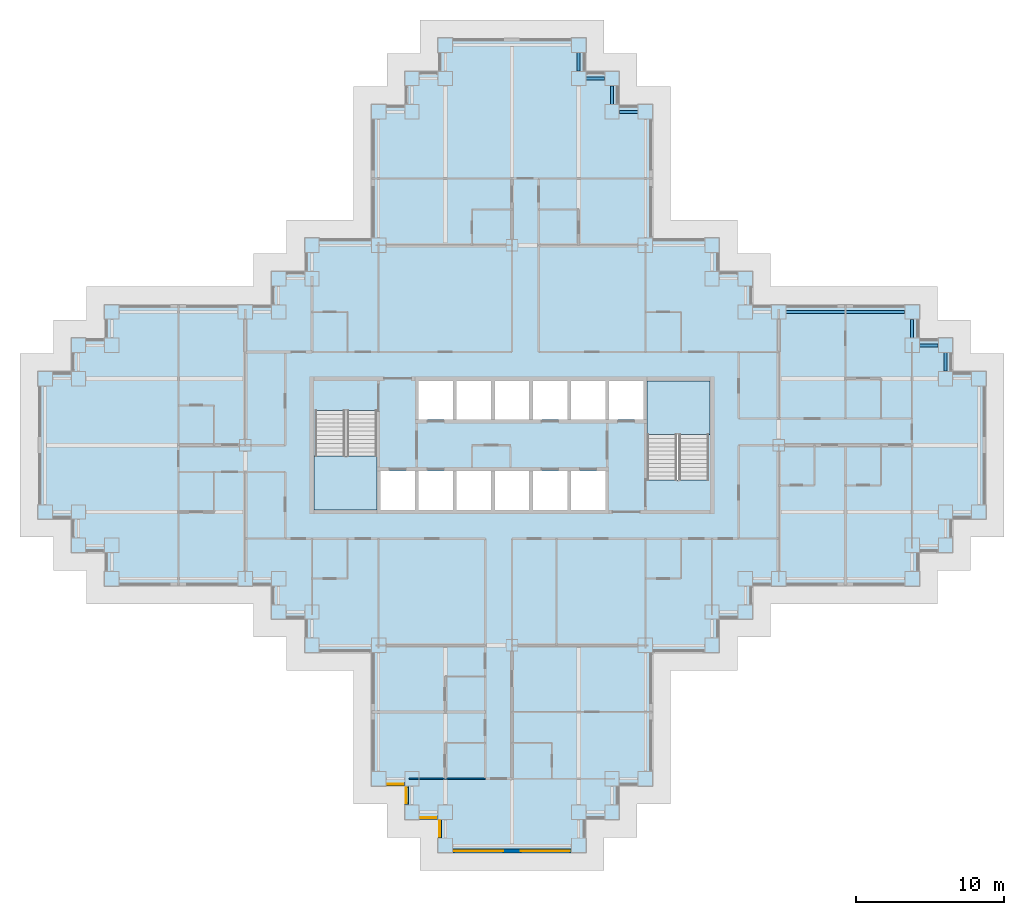
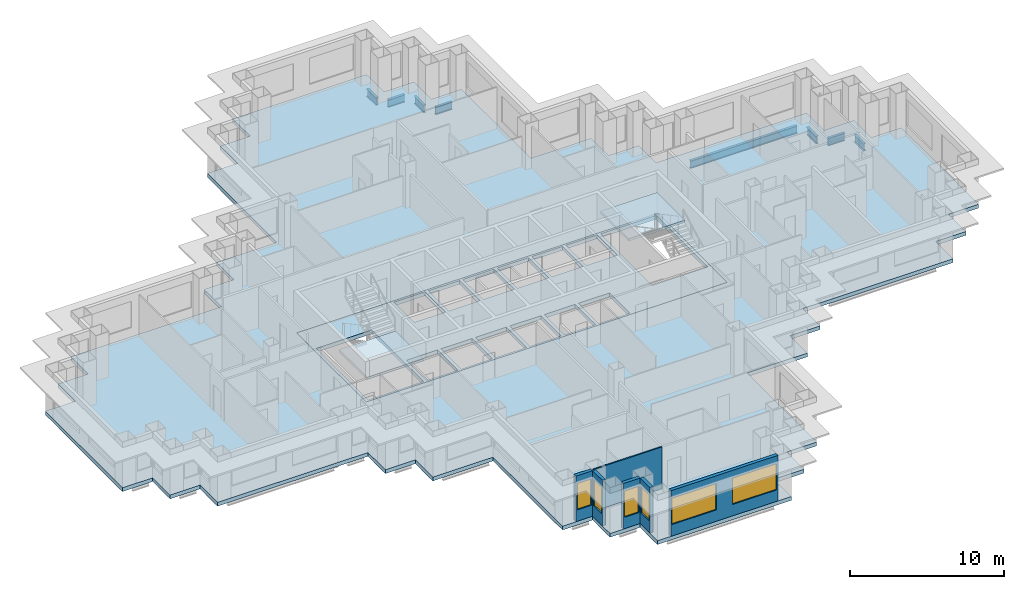
# One storey, part 2 of 14: 8 beams, 6 walls, 6 windows, 4 slabs, 6 openings, 2 elements without a shape of their own.
"""IFC4 building model written with IfcOpenShell, lengths in metres."""

from ifc_helpers import new_model, si_unit, direction, frame, frame_2d, origin, origin_2d, place, context, subcontext, project, spatial, polyline, rectangle, i_section, outline, extrude, material, layer, layer_set, material_profile, profile_set, type_object, element, fill, aggregate, save


model = new_model("IFC4")

# Units and contexts
model_context = context("Model", 3, precision=1e-05, world=origin(), true_north=direction((0.0, 1.0)))
body_context = subcontext(model_context, "Body", "Model", "MODEL_VIEW")
ifc_project = project(units=[si_unit("LENGTHUNIT", "METRE"), si_unit("AREAUNIT", "SQUARE_METRE"), si_unit("VOLUMEUNIT", "CUBIC_METRE"), si_unit("PLANEANGLEUNIT", "RADIAN"), si_unit("MASSUNIT", "GRAM", prefix="KILO")], contexts=[model_context])

# Site, building, storey
site_placement = place(None, origin())
site = spatial("IfcSite", under=ifc_project, at=site_placement, CompositionType="ELEMENT")
building_placement = place(site_placement, origin())
building = spatial("IfcBuilding", under=site, at=building_placement, Name="Caravel Reach Hotel and Residences", CompositionType="ELEMENT")
storey_placement = place(building_placement, frame((0.0, 0.0, 56.39990234375)))
storey = spatial("IfcBuildingStorey", under=building, at=storey_placement, Name="L12", CompositionType="ELEMENT", Elevation=56.39990234375)

# Beams
ifc_material_1 = material(Name="Structural steel Q355B", Category="steel")
ifc_material_profile = material_profile(ifc_material_1, i_section(OverallWidth=0.199951171875, OverallDepth=0.60009765625, WebThickness=0.010986328125, FlangeThickness=0.01708984375, FilletRadius=0.012939453125, at=origin_2d()), Name="HN 600x200x11x17")
ifc_profile_set = profile_set([ifc_material_profile], Name="Structural steel Q355B")
beam_type = type_object("IfcBeamType", Name="Spandrel beam HN 600x200x11x17", PredefinedType="SPANDREL", material=ifc_profile_set)
for number, where, z_axis, x_axis, name in (
    (1, (60.75, 32.0, -0.599853515625), (0.0, 1.0, 0.0), (-1.0, 0.0, 0.0), "SP1 HN 600x200x11x17"),
    (2, (60.25, 33.75, -0.599853515625), (-1.0, 0.0, 0.0), (0.0, -1.0, 0.0), "SP1 HN 600x200x11x17"),
    (3, (58.5, 34.25, -0.599853515625), (0.0, 1.0, 0.0), (-1.0, 0.0, 0.0), "SP1 HN 600x200x11x17"),
):
    element("IfcBeam", number, at=place(storey_placement, frame(where, z_axis=z_axis, x_axis=x_axis)), inside=storey, type_object=beam_type, Name=name, PredefinedType="SPANDREL", context=body_context, shape_type="SweptSolid", body=[
        extrude(i_section(OverallWidth=0.199951171875, OverallDepth=0.60009765625, WebThickness=0.010986328125, FlangeThickness=0.01708984375, FilletRadius=0.012939453125, at=origin_2d()), origin(), (0.0, 0.0, 1.0), 1.25),
    ])
beam_placement = place(storey_placement, frame((58.0, 36.0, -0.599853515625), z_axis=(-1.0, 0.0, 0.0), x_axis=(0.0, -1.0, 0.0)))
element("IfcBeam", 4, at=beam_placement, inside=storey, type_object=beam_type, Name="SP1 HN 600x200x11x17", PredefinedType="SPANDREL", context=body_context, shape_type="SweptSolid", body=[
    extrude(i_section(OverallWidth=0.199951171875, OverallDepth=0.60009765625, WebThickness=0.010986328125, FlangeThickness=0.01708984375, FilletRadius=0.012939453125, at=origin_2d()), origin(), (0.0, 0.0, 1.0), 8.0),
])
for number, where, z_axis, x_axis, name in (
    (5, (40.0, 49.5, -0.599853515625), (-1.0, 0.0, 0.0), (0.0, -1.0, 0.0), "SP1 HN 600x200x11x17"),
    (6, (38.25, 50.0, -0.599853515625), (0.0, 1.0, 0.0), (-1.0, 0.0, 0.0), "SP1 HN 600x200x11x17"),
    (7, (37.75, 51.75, -0.599853515625), (-1.0, 0.0, 0.0), (0.0, -1.0, 0.0), "SP1 HN 600x200x11x17"),
    (8, (36.0, 52.25, -0.599853515625), (0.0, 1.0, 0.0), (-1.0, 0.0, 0.0), "SP1 HN 600x200x11x17"),
):
    element("IfcBeam", number, at=place(storey_placement, frame(where, z_axis=z_axis, x_axis=x_axis)), inside=storey, type_object=beam_type, Name=name, PredefinedType="SPANDREL", context=body_context, shape_type="SweptSolid", body=[
        extrude(i_section(OverallWidth=0.199951171875, OverallDepth=0.60009765625, WebThickness=0.010986328125, FlangeThickness=0.01708984375, FilletRadius=0.012939453125, at=origin_2d()), origin(), (0.0, 0.0, 1.0), 1.25),
    ])

# Slab
ifc_material_2 = material(Name="Concrete C40", Category="concrete")
ifc_layer_1 = layer(ifc_material_2, 0.300048828125)
ifc_layer_set_1 = layer_set([ifc_layer_1], Name="Core floor slab 300 mm")
slab_type_1 = type_object("IfcSlabType", Name="Core floor slab 300 mm", PredefinedType="FLOOR", material=ifc_layer_set_1)
slab_1_placement = place(storey_placement, frame((0.0, 0.0, -0.2998046875)))
element("IfcSlab", 9, at=slab_1_placement, inside=storey, type_object=slab_type_1, Name="L12 core floor", PredefinedType="FLOOR", context=body_context, shape_type="SweptSolid", body=[
    extrude(outline(polyline([(18.0, 31.5), (45.0, 31.5), (45.0, 22.5), (18.0, 22.5), (18.0, 31.5)]), holes=[polyline([(22.625, 25.27490234375), (22.625, 22.64990234375), (24.9462890625, 22.64990234375), (24.9462890625, 25.27490234375), (22.625, 25.27490234375)]), polyline([(27.517822265625, 25.27490234375), (25.1962890625, 25.27490234375), (25.1962890625, 22.64990234375), (27.517822265625, 22.64990234375), (27.517822265625, 25.27490234375)]), polyline([(30.08935546875, 25.27490234375), (27.767822265625, 25.27490234375), (27.767822265625, 22.64990234375), (30.08935546875, 22.64990234375), (30.08935546875, 25.27490234375)]), polyline([(32.66064453125, 25.27490234375), (30.33935546875, 25.27490234375), (30.33935546875, 22.64990234375), (32.66064453125, 22.64990234375), (32.66064453125, 25.27490234375)]), polyline([(18.22509765625, 22.64990234375), (22.375, 22.64990234375), (22.375, 29.35009765625), (18.22509765625, 29.35009765625), (18.22509765625, 22.64990234375)]), polyline([(27.517822265625, 31.35009765625), (25.1962890625, 31.35009765625), (25.1962890625, 28.72509765625), (27.517822265625, 28.72509765625), (27.517822265625, 31.35009765625)]), polyline([(30.08935546875, 31.35009765625), (27.767822265625, 31.35009765625), (27.767822265625, 28.72509765625), (30.08935546875, 28.72509765625), (30.08935546875, 31.35009765625)]), polyline([(32.91064453125, 25.27490234375), (32.91064453125, 22.64990234375), (35.232177734375, 22.64990234375), (35.232177734375, 25.27490234375), (32.91064453125, 25.27490234375)]), polyline([(37.8037109375, 25.27490234375), (35.482177734375, 25.27490234375), (35.482177734375, 22.64990234375), (37.8037109375, 22.64990234375), (37.8037109375, 25.27490234375)]), polyline([(44.77490234375, 31.35009765625), (40.625, 31.35009765625), (40.625, 24.64990234375), (44.77490234375, 24.64990234375), (44.77490234375, 31.35009765625)]), polyline([(32.66064453125, 31.35009765625), (30.33935546875, 31.35009765625), (30.33935546875, 28.72509765625), (32.66064453125, 28.72509765625), (32.66064453125, 31.35009765625)]), polyline([(35.232177734375, 31.35009765625), (32.91064453125, 31.35009765625), (32.91064453125, 28.72509765625), (35.232177734375, 28.72509765625), (35.232177734375, 31.35009765625)]), polyline([(37.8037109375, 31.35009765625), (35.482177734375, 31.35009765625), (35.482177734375, 28.72509765625), (37.8037109375, 28.72509765625), (37.8037109375, 31.35009765625)]), polyline([(40.375, 31.35009765625), (38.0537109375, 31.35009765625), (38.0537109375, 28.72509765625), (40.375, 28.72509765625), (40.375, 31.35009765625)])]), origin(), (0.0, 0.0, 1.0), 0.2998046875),
])

# Stair, slab
ifc_material_3 = material(Name="Concrete C40", Category="concrete")
stair_type = type_object("IfcStairType", Name="Core stair", PredefinedType="HALF_TURN_STAIR", material=ifc_material_3)
stair_1_placement = place(storey_placement, origin())
stair_1 = element("IfcStair", 10, at=stair_1_placement, inside=storey, type_object=stair_type, Name="L12 Exit stair A", PredefinedType="HALF_TURN_STAIR")
ifc_material_4 = material(Name="Concrete C40", Category="concrete")
ifc_layer_2 = layer(ifc_material_4, 0.199951171875)
ifc_layer_set_2 = layer_set([ifc_layer_2], Name="Core stair landing")
slab_type_2 = type_object("IfcSlabType", Name="Core stair landing", PredefinedType="LANDING", material=ifc_layer_set_2)
slab_2_placement = place(storey_placement, frame((0.0, 0.0, 1.60009765625)))
slab_2 = element("IfcSlab", 11, at=slab_2_placement, type_object=slab_type_2, Name="ST-A landing 1", PredefinedType="LANDING", context=body_context, shape_type="SweptSolid", body=[
    extrude(outline(polyline([(18.14990234375, 26.27001953125), (18.14990234375, 22.64990234375), (22.375, 22.64990234375), (22.375, 26.27001953125), (18.14990234375, 26.27001953125)])), origin(), (0.0, 0.0, 1.0), 0.199951171875),
])
aggregate(stair_1, [slab_2])

stair_2_placement = place(storey_placement, origin())
stair_2 = element("IfcStair", 12, at=stair_2_placement, inside=storey, type_object=stair_type, Name="L12 Exit stair B", PredefinedType="HALF_TURN_STAIR")
slab_3_placement = place(storey_placement, frame((0.0, 0.0, 1.60009765625)))
slab_3 = element("IfcSlab", 13, at=slab_3_placement, type_object=slab_type_2, Name="ST-B landing 1", PredefinedType="LANDING", context=body_context, shape_type="SweptSolid", body=[
    extrude(outline(polyline([(44.85009765625, 27.72998046875), (44.85009765625, 31.35009765625), (40.625, 31.35009765625), (40.625, 27.72998046875), (44.85009765625, 27.72998046875)])), origin(), (0.0, 0.0, 1.0), 0.199951171875),
])
aggregate(stair_2, [slab_3])

# Slab
ifc_material_5 = material(Name="Concrete C40 post-tensioned", Category="concrete")
ifc_layer_3 = layer(ifc_material_5, 0.300048828125)
ifc_layer_set_3 = layer_set([ifc_layer_3], Name="Floor slab 300")
slab_type_3 = type_object("IfcSlabType", Name="Floor slab 300", PredefinedType="FLOOR", material=ifc_layer_set_3)
slab_4_placement = place(storey_placement, frame((0.0, 0.0, -0.2998046875)))
element("IfcSlab", 14, at=slab_4_placement, inside=storey, type_object=slab_type_3, Name="S2 slab L12", PredefinedType="FLOOR", context=body_context, shape_type="SweptSolid", body=[
    extrude(outline(polyline([(17.5, 13.0), (17.5, 15.25), (15.25, 15.25), (15.25, 17.5), (4.0, 17.5), (4.0, 19.75), (1.75, 19.75), (1.75, 22.0), (-0.5, 22.0), (-0.5, 32.0), (1.75, 32.0), (1.75, 34.25), (4.0, 34.25), (4.0, 36.5), (15.25, 36.5), (15.25, 38.75), (17.5, 38.75), (17.5, 41.0), (22.0, 41.0), (22.0, 50.0), (24.25, 50.0), (24.25, 52.25), (26.5, 52.25), (26.5, 54.5), (36.5, 54.5), (36.5, 52.25), (38.75, 52.25), (38.75, 50.0), (41.0, 50.0), (41.0, 41.0), (45.5, 41.0), (45.5, 38.75), (47.75, 38.75), (47.75, 36.5), (59.0, 36.5), (59.0, 34.25), (61.25, 34.25), (61.25, 32.0), (63.5, 32.0), (63.5, 22.0), (61.25, 22.0), (61.25, 19.75), (59.0, 19.75), (59.0, 17.5), (47.75, 17.5), (47.75, 15.25), (45.5, 15.25), (45.5, 13.0), (41.0, 13.0), (41.0, 4.0), (38.75, 4.0), (38.75, 1.75), (36.5, 1.75), (36.5, -0.5), (26.5, -0.5), (26.5, 1.75), (24.25, 1.75), (24.25, 4.0), (22.0, 4.0), (22.0, 13.0), (17.5, 13.0)]), holes=[polyline([(45.0, 31.5), (18.0, 31.5), (18.0, 22.5), (45.0, 22.5), (45.0, 31.5)])]), origin(), (0.0, 0.0, 1.0), 0.2998046875),
])

# Wall, opening, window
ifc_material_6 = material(Name="Insulated rainscreen wall, aluminium cladding", Category="aluminium")
ifc_layer_4 = layer(ifc_material_6, 0.25)
ifc_layer_set_4 = layer_set([ifc_layer_4], Name="EW1 Tower rainscreen wall")
wall_type_1 = type_object("IfcWallType", Name="EW1 Tower rainscreen wall", PredefinedType="SOLIDWALL", material=ifc_layer_set_4)
wall_1_placement = place(storey_placement, frame((23.0, 4.125, 0.0), z_axis=(0.0, 0.0, 1.0), x_axis=(1.0, 0.0, 0.0)))
wall_1 = element("IfcWall", 15, at=wall_1_placement, inside=storey, type_object=wall_type_1, Name="External wall L12 S1.1", PredefinedType="SOLIDWALL", context=body_context, shape_type="SweptSolid", body=[
    extrude(rectangle(XDim=1.25, YDim=0.25, at=frame_2d((0.625, 0.0))), origin(), (0.0, 0.0, 1.0), 3.60009765625),
])
opening_1_placement = place(wall_1_placement, frame((0.10009765625, 0.0, 0.89990234375)))
opening_1 = element("IfcOpeningElement", 16, at=opening_1_placement, cuts=wall_1, Name="Opening WN3", PredefinedType="OPENING", context=body_context, shape_type="SweptSolid", body=[
    extrude(rectangle(XDim=1.050048828125, YDim=2.080078125, at=frame_2d((0.52490234375, 1.0400390625))), frame((0.0, 0.135009765625, 0.0), z_axis=(0.0, -1.0, 0.0), x_axis=(1.0, 0.0, 0.0)), (0.0, 0.0, 1.0), 0.27001953125),
])
ifc_material_7 = material(Name="Dark low-e glazing in black aluminium frame", Category="aluminium")
window_type_1 = type_object("IfcWindowType", Name="Hotel suite corner window 1050 x 2080", PartitioningType="SINGLE_PANEL", PredefinedType="WINDOW", material=ifc_material_7)
window_1_placement = place(opening_1_placement, origin())
window_1 = element("IfcWindow", 17, at=window_1_placement, inside=storey, type_object=window_type_1, Name="Window L12 S1.1.1", OverallHeight=2.080078125, OverallWidth=1.050048828125, PartitioningType="SINGLE_PANEL", PredefinedType="WINDOW", context=body_context, shape_type="SweptSolid", body=[
    extrude(rectangle(XDim=1.050048828125, YDim=2.080078125, at=frame_2d((0.52490234375, 1.0400390625))), frame((0.0, 0.030029296875, 0.0), z_axis=(0.0, -1.0, 0.0), x_axis=(1.0, 0.0, 0.0)), (0.0, 0.0, 1.0), 0.06005859375),
])
fill(opening_1, window_1)

wall_2_placement = place(storey_placement, frame((24.375, 4.0, 0.0), z_axis=(0.0, 0.0, 1.0), x_axis=(0.0, -1.0, 0.0)))
wall_2 = element("IfcWall", 18, at=wall_2_placement, inside=storey, type_object=wall_type_1, Name="External wall L12 W2.1", PredefinedType="SOLIDWALL", context=body_context, shape_type="SweptSolid", body=[
    extrude(rectangle(XDim=1.25, YDim=0.25, at=frame_2d((0.625, 0.0))), origin(), (0.0, 0.0, 1.0), 3.60009765625),
])
opening_2_placement = place(wall_2_placement, frame((0.10009765625, 0.0, 0.89990234375)))
opening_2 = element("IfcOpeningElement", 19, at=opening_2_placement, cuts=wall_2, Name="Opening WN3", PredefinedType="OPENING", context=body_context, shape_type="SweptSolid", body=[
    extrude(rectangle(XDim=1.050048828125, YDim=2.080078125, at=frame_2d((0.52490234375, 1.0400390625))), frame((0.0, 0.135009765625, 0.0), z_axis=(0.0, -1.0, 0.0), x_axis=(1.0, 0.0, 0.0)), (0.0, 0.0, 1.0), 0.27001953125),
])
window_2_placement = place(opening_2_placement, origin())
window_2 = element("IfcWindow", 20, at=window_2_placement, inside=storey, type_object=window_type_1, Name="Window L12 W2.1.1", OverallHeight=2.080078125, OverallWidth=1.050048828125, PartitioningType="SINGLE_PANEL", PredefinedType="WINDOW", context=body_context, shape_type="SweptSolid", body=[
    extrude(rectangle(XDim=1.050048828125, YDim=2.080078125, at=frame_2d((0.52490234375, 1.0400390625))), frame((0.0, 0.030029296875, 0.0), z_axis=(0.0, -1.0, 0.0), x_axis=(1.0, 0.0, 0.0)), (0.0, 0.0, 1.0), 0.06005859375),
])
fill(opening_2, window_2)

wall_3_placement = place(storey_placement, frame((25.25, 1.875, 0.0), z_axis=(0.0, 0.0, 1.0), x_axis=(1.0, 0.0, 0.0)))
wall_3 = element("IfcWall", 21, at=wall_3_placement, inside=storey, type_object=wall_type_1, Name="External wall L12 S3.1", PredefinedType="SOLIDWALL", context=body_context, shape_type="SweptSolid", body=[
    extrude(rectangle(XDim=1.25, YDim=0.25, at=frame_2d((0.625, 0.0))), origin(), (0.0, 0.0, 1.0), 3.60009765625),
])
opening_3_placement = place(wall_3_placement, frame((0.10009765625, 0.0, 0.89990234375)))
opening_3 = element("IfcOpeningElement", 22, at=opening_3_placement, cuts=wall_3, Name="Opening WN3", PredefinedType="OPENING", context=body_context, shape_type="SweptSolid", body=[
    extrude(rectangle(XDim=1.050048828125, YDim=2.080078125, at=frame_2d((0.52490234375, 1.0400390625))), frame((0.0, 0.135009765625, 0.0), z_axis=(0.0, -1.0, 0.0), x_axis=(1.0, 0.0, 0.0)), (0.0, 0.0, 1.0), 0.27001953125),
])
window_3_placement = place(opening_3_placement, origin())
window_3 = element("IfcWindow", 23, at=window_3_placement, inside=storey, type_object=window_type_1, Name="Window L12 S3.1.1", OverallHeight=2.080078125, OverallWidth=1.050048828125, PartitioningType="SINGLE_PANEL", PredefinedType="WINDOW", context=body_context, shape_type="SweptSolid", body=[
    extrude(rectangle(XDim=1.050048828125, YDim=2.080078125, at=frame_2d((0.52490234375, 1.0400390625))), frame((0.0, 0.030029296875, 0.0), z_axis=(0.0, -1.0, 0.0), x_axis=(1.0, 0.0, 0.0)), (0.0, 0.0, 1.0), 0.06005859375),
])
fill(opening_3, window_3)

wall_4_placement = place(storey_placement, frame((26.625, 1.75, 0.0), z_axis=(0.0, 0.0, 1.0), x_axis=(0.0, -1.0, 0.0)))
wall_4 = element("IfcWall", 24, at=wall_4_placement, inside=storey, type_object=wall_type_1, Name="External wall L12 W4.1", PredefinedType="SOLIDWALL", context=body_context, shape_type="SweptSolid", body=[
    extrude(rectangle(XDim=1.25, YDim=0.25, at=frame_2d((0.625, 0.0))), origin(), (0.0, 0.0, 1.0), 3.60009765625),
])
opening_4_placement = place(wall_4_placement, frame((0.10009765625, 0.0, 0.89990234375)))
opening_4 = element("IfcOpeningElement", 25, at=opening_4_placement, cuts=wall_4, Name="Opening WN3", PredefinedType="OPENING", context=body_context, shape_type="SweptSolid", body=[
    extrude(rectangle(XDim=1.050048828125, YDim=2.080078125, at=frame_2d((0.52490234375, 1.0400390625))), frame((0.0, 0.135009765625, 0.0), z_axis=(0.0, -1.0, 0.0), x_axis=(1.0, 0.0, 0.0)), (0.0, 0.0, 1.0), 0.27001953125),
])
window_4_placement = place(opening_4_placement, origin())
window_4 = element("IfcWindow", 26, at=window_4_placement, inside=storey, type_object=window_type_1, Name="Window L12 W4.1.1", OverallHeight=2.080078125, OverallWidth=1.050048828125, PartitioningType="SINGLE_PANEL", PredefinedType="WINDOW", context=body_context, shape_type="SweptSolid", body=[
    extrude(rectangle(XDim=1.050048828125, YDim=2.080078125, at=frame_2d((0.52490234375, 1.0400390625))), frame((0.0, 0.030029296875, 0.0), z_axis=(0.0, -1.0, 0.0), x_axis=(1.0, 0.0, 0.0)), (0.0, 0.0, 1.0), 0.06005859375),
])
fill(opening_4, window_4)

# Wall, openings, windows
wall_5_placement = place(storey_placement, frame((27.5, -0.375, 0.0), z_axis=(0.0, 0.0, 1.0), x_axis=(1.0, 0.0, 0.0)))
wall_5 = element("IfcWall", 27, at=wall_5_placement, inside=storey, type_object=wall_type_1, Name="External wall L12 S5.1", PredefinedType="SOLIDWALL", context=body_context, shape_type="SweptSolid", body=[
    extrude(rectangle(XDim=8.0, YDim=0.25, at=frame_2d((4.0, 0.0))), origin(), (0.0, 0.0, 1.0), 3.60009765625),
])
opening_5_placement = place(wall_5_placement, frame((0.10009765625, 0.0, 0.89990234375)))
opening_5 = element("IfcOpeningElement", 28, at=opening_5_placement, cuts=wall_5, Name="Opening WN4", PredefinedType="OPENING", context=body_context, shape_type="SweptSolid", body=[
    extrude(rectangle(XDim=3.300048828125, YDim=2.080078125, at=frame_2d((1.64990234375, 1.0400390625))), frame((0.0, 0.135009765625, 0.0), z_axis=(0.0, -1.0, 0.0), x_axis=(1.0, 0.0, 0.0)), (0.0, 0.0, 1.0), 0.27001953125),
])
opening_6_placement = place(wall_5_placement, frame((4.60009765625, 0.0, 0.89990234375)))
opening_6 = element("IfcOpeningElement", 29, at=opening_6_placement, cuts=wall_5, Name="Opening WN4", PredefinedType="OPENING", context=body_context, shape_type="SweptSolid", body=[
    extrude(rectangle(XDim=3.300048828125, YDim=2.080078125, at=frame_2d((1.64990234375, 1.0400390625))), frame((0.0, 0.135009765625, 0.0), z_axis=(0.0, -1.0, 0.0), x_axis=(1.0, 0.0, 0.0)), (0.0, 0.0, 1.0), 0.27001953125),
])
ifc_material_8 = material(Name="Dark low-e glazing in black aluminium frame", Category="aluminium")
window_type_2 = type_object("IfcWindowType", Name="Hotel guest room window 3300 x 2080", PartitioningType="SINGLE_PANEL", PredefinedType="WINDOW", material=ifc_material_8)
window_5_placement = place(opening_5_placement, origin())
window_5 = element("IfcWindow", 30, at=window_5_placement, inside=storey, type_object=window_type_2, Name="Window L12 S5.1.1", OverallHeight=2.080078125, OverallWidth=3.300048828125, PartitioningType="SINGLE_PANEL", PredefinedType="WINDOW", context=body_context, shape_type="SweptSolid", body=[
    extrude(rectangle(XDim=3.300048828125, YDim=2.080078125, at=frame_2d((1.64990234375, 1.0400390625))), frame((0.0, 0.030029296875, 0.0), z_axis=(0.0, -1.0, 0.0), x_axis=(1.0, 0.0, 0.0)), (0.0, 0.0, 1.0), 0.06005859375),
])
fill(opening_5, window_5)
window_6_placement = place(opening_6_placement, origin())
window_6 = element("IfcWindow", 31, at=window_6_placement, inside=storey, type_object=window_type_2, Name="Window L12 S5.1.2", OverallHeight=2.080078125, OverallWidth=3.300048828125, PartitioningType="SINGLE_PANEL", PredefinedType="WINDOW", context=body_context, shape_type="SweptSolid", body=[
    extrude(rectangle(XDim=3.300048828125, YDim=2.080078125, at=frame_2d((1.64990234375, 1.0400390625))), frame((0.0, 0.030029296875, 0.0), z_axis=(0.0, -1.0, 0.0), x_axis=(1.0, 0.0, 0.0)), (0.0, 0.0, 1.0), 0.06005859375),
])
fill(opening_6, window_6)

# Wall
ifc_material_9 = material(Name="Gypsum board on steel stud", Category="steel")
ifc_layer_5 = layer(ifc_material_9, 0.10009765625)
ifc_layer_set_5 = layer_set([ifc_layer_5], Name="Partition 100 mm")
wall_type_2 = type_object("IfcWallType", Name="Partition 100 mm", PredefinedType="PARTITIONING", material=ifc_layer_set_5)
wall_6_placement = place(storey_placement, frame((24.56005859375, 4.5, 0.0), z_axis=(0.0, 0.0, 1.0), x_axis=(1.0, 0.0, 0.0)))
element("IfcWall", 32, at=wall_6_placement, inside=storey, type_object=wall_type_2, Name="L12 wall w046", PredefinedType="PARTITIONING", context=body_context, shape_type="SweptSolid", body=[
    extrude(rectangle(XDim=5.139892578125, YDim=0.10009765625, at=frame_2d((2.56982421875, 0.0))), origin(), (0.0, 0.0, 1.0), 3.300048828125),
])

save(model, "model.ifc")
